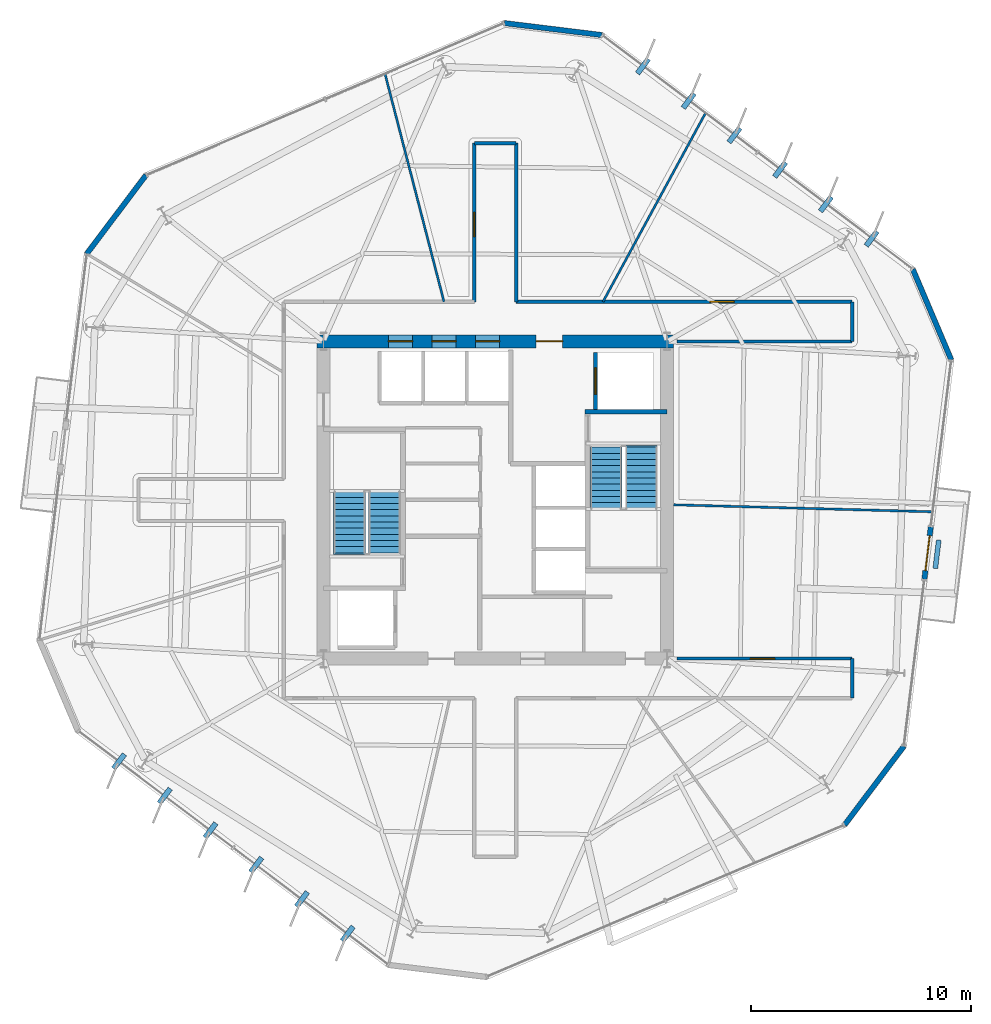
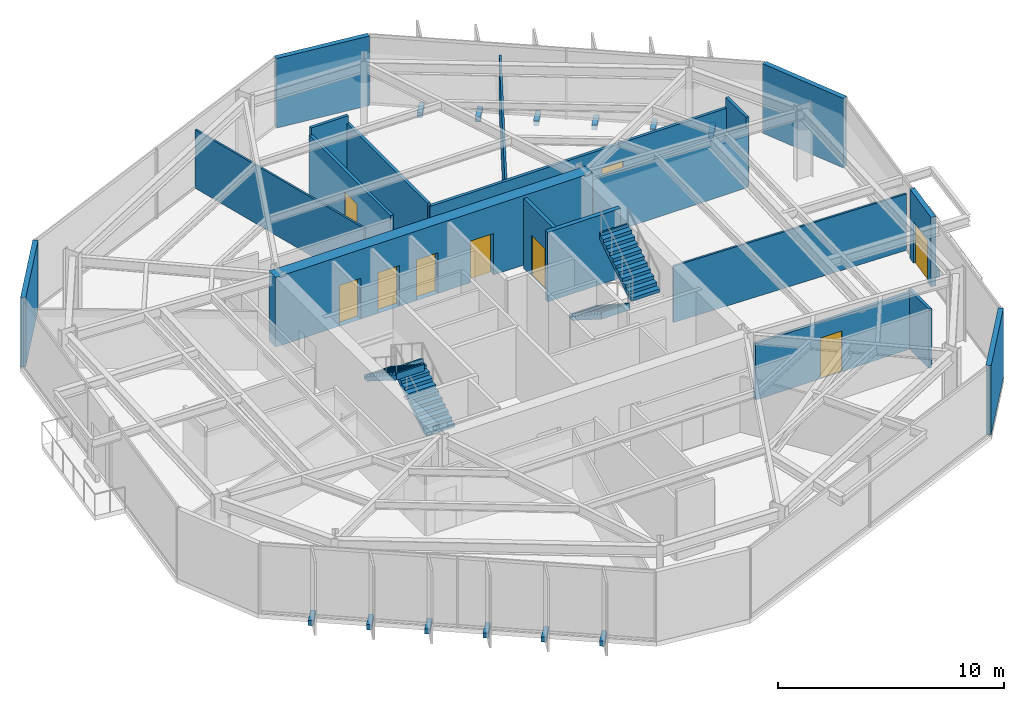
# One storey, part 8 of 11: 20 walls, 12 discrete accessories, 9 doors, 4 stair flights, 9 openings, 2 elements without a shape of their own.
"""IFC4 building model written with IfcOpenShell, lengths in metres."""

from ifc_helpers import new_model, si_unit, direction, frame, frame_2d, origin, origin_2d, place, context, subcontext, project, spatial, polyline, rectangle, outline, extrude, material, layer, layer_set, type_object, element, fill, aggregate, save


model = new_model("IFC4")

# Units and contexts
model_context = context("Model", 3, precision=1e-05, world=origin(), true_north=direction((0.0, 1.0)))
body_context = subcontext(model_context, "Body", "Model", "MODEL_VIEW")
ifc_project = project(units=[si_unit("LENGTHUNIT", "METRE"), si_unit("AREAUNIT", "SQUARE_METRE"), si_unit("VOLUMEUNIT", "CUBIC_METRE"), si_unit("PLANEANGLEUNIT", "RADIAN"), si_unit("MASSUNIT", "GRAM", prefix="KILO")], contexts=[model_context])

# Site, building, storey
site_placement = place(None, origin())
site = spatial("IfcSite", under=ifc_project, at=site_placement, CompositionType="ELEMENT")
building_placement = place(site_placement, origin())
building = spatial("IfcBuilding", under=site, at=building_placement, Name="Kranzbogen Civic Tower", CompositionType="ELEMENT")
storey_placement = place(building_placement, frame((0.0, 0.0, 114.39990234375)))
storey = spatial("IfcBuildingStorey", under=building, at=storey_placement, Name="L27", CompositionType="ELEMENT", Elevation=114.39990234375)

# Wall, opening, door
ifc_material_1 = material(Name="Double-Stud Acoustic Gypsum Partition")
ifc_layer_1 = layer(ifc_material_1, 0.14990234375, Name="Double-Stud Acoustic Gypsum Partition")
ifc_layer_set_1 = layer_set([ifc_layer_1], Name="Double-Stud Acoustic Gypsum Partition")
wall_type_1 = type_object("IfcWallType", Name="Acoustic Corridor and Clinical Partition 150 mm", PredefinedType="PARTITIONING", material=ifc_layer_set_1)
wall_1_placement = place(storey_placement, frame((24.050048828125, 34.0, 0.0), z_axis=(0.0, 0.0, 1.0), x_axis=(0.0, 1.0, 0.0)))
wall_1 = element("IfcWall", 1, at=wall_1_placement, inside=storey, type_object=wall_type_1, Name="L27 corridor partition 11", PredefinedType="PARTITIONING", context=body_context, shape_type="SweptSolid", body=[
    extrude(rectangle(XDim=7.199951171875, YDim=0.14990234375, at=frame_2d((3.60009765625, 0.0))), origin(), (0.0, 0.0, 1.0), 3.360107421875),
])
opening_1_placement = place(wall_1_placement, frame((2.9619140625, 0.0, 0.0)))
opening_1 = element("IfcOpeningElement", 2, at=opening_1_placement, cuts=wall_1, Name="Opening D-COR60", PredefinedType="OPENING", context=body_context, shape_type="SweptSolid", body=[
    extrude(rectangle(XDim=1.10009765625, YDim=2.199951171875, at=frame_2d((0.550048828125, 1.10009765625))), frame((0.0, 0.0849609375, 0.0), z_axis=(0.0, -1.0, 0.0), x_axis=(1.0, 0.0, 0.0)), (0.0, 0.0, 1.0), 0.169921875),
])
ifc_material_2 = material(Name="Oak Timber and Fire Core", Category="wood")
door_type_1 = type_object("IfcDoorType", Name="Corridor Acoustic Fire Door 1100x2200", OperationType="NOTDEFINED", PredefinedType="DOOR", material=ifc_material_2)
door_1_placement = place(opening_1_placement, origin())
door_1 = element("IfcDoor", 3, at=door_1_placement, inside=storey, type_object=door_type_1, Name="L27 Executive Research Study door", OperationType="SINGLE_SWING_RIGHT", OverallHeight=2.199951171875, OverallWidth=1.10009765625, PredefinedType="DOOR", context=body_context, shape_type="SweptSolid", body=[
    extrude(rectangle(XDim=1.10009765625, YDim=2.199951171875, at=frame_2d((0.550048828125, 1.10009765625))), frame((0.0, 0.02490234375, 0.0), z_axis=(0.0, -1.0, 0.0), x_axis=(1.0, 0.0, 0.0)), (0.0, 0.0, 1.0), 0.050048828125),
])
fill(opening_1, door_1)

# Walls
wall_2_placement = place(storey_placement, frame((24.050048828125, 41.199951171875, 0.0), z_axis=(0.0, 0.0, 1.0), x_axis=(1.0, 0.0, 0.0)))
element("IfcWall", 4, at=wall_2_placement, inside=storey, type_object=wall_type_1, Name="L27 corridor partition 12", PredefinedType="PARTITIONING", context=body_context, shape_type="SweptSolid", body=[
    extrude(rectangle(XDim=1.89990234375, YDim=0.14990234375, at=frame_2d((0.949951171875, 0.0))), origin(), (0.0, 0.0, 1.0), 3.760009765625),
])
wall_3_placement = place(storey_placement, frame((25.949951171875, 41.199951171875, 0.0), z_axis=(0.0, 0.0, 1.0), x_axis=(0.0, -1.0, 0.0)))
element("IfcWall", 5, at=wall_3_placement, inside=storey, type_object=wall_type_1, Name="L27 corridor partition 13", PredefinedType="PARTITIONING", context=body_context, shape_type="SweptSolid", body=[
    extrude(rectangle(XDim=7.199951171875, YDim=0.14990234375, at=frame_2d((3.60009765625, 0.0))), origin(), (0.0, 0.0, 1.0), 3.360107421875),
])

# Wall, opening, door
wall_4_placement = place(storey_placement, frame((25.949951171875, 34.0, 0.0), z_axis=(0.0, 0.0, 1.0), x_axis=(1.0, 0.0, 0.0)))
wall_4 = element("IfcWall", 6, at=wall_4_placement, inside=storey, type_object=wall_type_1, Name="L27 corridor partition 14", PredefinedType="PARTITIONING", context=body_context, shape_type="SweptSolid", body=[
    extrude(rectangle(XDim=15.25, YDim=0.14990234375, at=frame_2d((7.625, 0.0))), origin(), (0.0, 0.0, 1.0), 3.210205078125),
])
opening_2_placement = place(wall_4_placement, frame((8.7939453125, 0.0, 0.0)))
opening_2 = element("IfcOpeningElement", 7, at=opening_2_placement, cuts=wall_4, Name="Opening D-COR60", PredefinedType="OPENING", context=body_context, shape_type="SweptSolid", body=[
    extrude(rectangle(XDim=1.10009765625, YDim=2.199951171875, at=frame_2d((0.550048828125, 1.10009765625))), frame((0.0, 0.0849609375, 0.0), z_axis=(0.0, -1.0, 0.0), x_axis=(1.0, 0.0, 0.0)), (0.0, 0.0, 1.0), 0.169921875),
])
door_2_placement = place(opening_2_placement, origin())
door_2 = element("IfcDoor", 8, at=door_2_placement, inside=storey, type_object=door_type_1, Name="L27 Policy Seminar Room door", OperationType="SINGLE_SWING_RIGHT", OverallHeight=2.199951171875, OverallWidth=1.10009765625, PredefinedType="DOOR", context=body_context, shape_type="SweptSolid", body=[
    extrude(rectangle(XDim=1.10009765625, YDim=2.199951171875, at=frame_2d((0.550048828125, 1.10009765625))), frame((0.0, 0.02490234375, 0.0), z_axis=(0.0, -1.0, 0.0), x_axis=(1.0, 0.0, 0.0)), (0.0, 0.0, 1.0), 0.050048828125),
])
fill(opening_2, door_2)

# Walls
wall_5_placement = place(storey_placement, frame((41.199951171875, 34.0, 0.0), z_axis=(0.0, 0.0, 1.0), x_axis=(0.0, -1.0, 0.0)))
element("IfcWall", 9, at=wall_5_placement, inside=storey, type_object=wall_type_1, Name="L27 corridor partition 15", PredefinedType="PARTITIONING", context=body_context, shape_type="SweptSolid", body=[
    extrude(rectangle(XDim=1.800048828125, YDim=0.14990234375, at=frame_2d((0.89990234375, 0.0))), origin(), (0.0, 0.0, 1.0), 3.760009765625),
])
wall_6_placement = place(storey_placement, frame((41.199951171875, 32.199951171875, 0.0), z_axis=(0.0, 0.0, 1.0), x_axis=(-1.0, 0.0, 0.0)))
element("IfcWall", 10, at=wall_6_placement, inside=storey, type_object=wall_type_1, Name="L27 corridor partition 16", PredefinedType="PARTITIONING", context=body_context, shape_type="SweptSolid", body=[
    extrude(rectangle(XDim=7.952880859375, YDim=0.14990234375, at=frame_2d((3.9765625, 0.0))), origin(), (0.0, 0.0, 1.0), 3.210205078125),
])

# Wall, opening, door
wall_7_placement = place(storey_placement, frame((33.2470703125, 17.800048828125, 0.0), z_axis=(0.0, 0.0, 1.0), x_axis=(1.0, 0.0, 0.0)))
wall_7 = element("IfcWall", 11, at=wall_7_placement, inside=storey, type_object=wall_type_1, Name="L27 corridor partition 17", PredefinedType="PARTITIONING", context=body_context, shape_type="SweptSolid", body=[
    extrude(rectangle(XDim=7.952880859375, YDim=0.14990234375, at=frame_2d((3.9765625, 0.0))), origin(), (0.0, 0.0, 1.0), 3.050048828125),
])
opening_3_placement = place(wall_7_placement, frame((3.337890625, 0.0, 0.0)))
opening_3 = element("IfcOpeningElement", 12, at=opening_3_placement, cuts=wall_7, Name="Opening D-COR60", PredefinedType="OPENING", context=body_context, shape_type="SweptSolid", body=[
    extrude(rectangle(XDim=1.10009765625, YDim=2.199951171875, at=frame_2d((0.550048828125, 1.10009765625))), frame((0.0, 0.0849609375, 0.0), z_axis=(0.0, -1.0, 0.0), x_axis=(1.0, 0.0, 0.0)), (0.0, 0.0, 1.0), 0.169921875),
])
door_3_placement = place(opening_3_placement, origin())
door_3 = element("IfcDoor", 13, at=door_3_placement, inside=storey, type_object=door_type_1, Name="L27 Delegates Sitting Lounge door", OperationType="SINGLE_SWING_LEFT", OverallHeight=2.199951171875, OverallWidth=1.10009765625, PredefinedType="DOOR", context=body_context, shape_type="SweptSolid", body=[
    extrude(rectangle(XDim=1.10009765625, YDim=2.199951171875, at=frame_2d((0.550048828125, 1.10009765625))), frame((0.0, 0.02490234375, 0.0), z_axis=(0.0, -1.0, 0.0), x_axis=(1.0, 0.0, 0.0)), (0.0, 0.0, 1.0), 0.050048828125),
])
fill(opening_3, door_3)

# Walls
wall_8_placement = place(storey_placement, frame((41.199951171875, 17.800048828125, 0.0), z_axis=(0.0, 0.0, 1.0), x_axis=(0.0, -1.0, 0.0)))
element("IfcWall", 14, at=wall_8_placement, inside=storey, type_object=wall_type_1, Name="L27 corridor partition 18", PredefinedType="PARTITIONING", context=body_context, shape_type="SweptSolid", body=[
    extrude(rectangle(XDim=1.800048828125, YDim=0.14990234375, at=frame_2d((0.89990234375, 0.0))), origin(), (0.0, 0.0, 1.0), 3.210205078125),
])
ifc_material_3 = material(Name="Architectural Precast Terracotta Concrete C40/50", Category="masonry")
ifc_layer_2 = layer(ifc_material_3, 0.219970703125, Name="Architectural Precast Terracotta Concrete C40/50")
ifc_layer_set_2 = layer_set([ifc_layer_2], Name="Architectural Precast Terracotta Concrete C40/50")
wall_type_2 = type_object("IfcWallType", Name="Architectural Tree Planter Kerb Wall 220 mm", PredefinedType="USERDEFINED", material=ifc_layer_set_2)
wall_9_placement = place(storey_placement, frame((44.97509765625, 21.89208984375, 0.0), z_axis=(0.0, 0.0, 1.0), x_axis=(0.121560078921, 0.992584075639, 0.0)))
element("IfcWall", 15, at=wall_9_placement, inside=storey, type_object=wall_type_2, Name="L27 landscaped tree balcony planter L27-TB2", ObjectType="PLANTER_WALL", PredefinedType="USERDEFINED", context=body_context, shape_type="SweptSolid", body=[
    extrude(rectangle(XDim=1.29931640625, YDim=0.219970703125, at=frame_2d((0.649658203125, 0.0))), origin(), (0.0, 0.0, 1.0), 0.400146484375),
])

# Wall, openings, doors
ifc_material_4 = material(Name="Concrete C55/67", Category="concrete")
ifc_layer_3 = layer(ifc_material_4, 0.60009765625, Name="Concrete C55/67")
ifc_layer_set_3 = layer_set([ifc_layer_3], Name="Concrete C55/67")
wall_type_3 = type_object("IfcWallType", Name="Central Core Shear Wall 600 mm", PredefinedType="SHEAR", material=ifc_layer_set_3)
wall_10_placement = place(storey_placement, frame((33.10009765625, 32.199951171875, 0.0), z_axis=(0.0, 0.0, 1.0), x_axis=(-1.0, 0.0, 0.0)))
wall_10 = element("IfcWall", 16, at=wall_10_placement, inside=storey, type_object=wall_type_3, Name="L27 central core North shear wall", PredefinedType="SHEAR", context=body_context, shape_type="SweptSolid", body=[
    extrude(rectangle(XDim=16.2001953125, YDim=0.60009765625, at=frame_2d((8.10009765625, 0.0))), origin(), (0.0, 0.0, 1.0), 3.760009765625),
])
opening_4_placement = place(wall_10_placement, frame((5.050048828125, 0.0, 0.0)))
opening_4 = element("IfcOpeningElement", 17, at=opening_4_placement, cuts=wall_10, Name="Opening D-EX120", PredefinedType="OPENING", context=body_context, shape_type="SweptSolid", body=[
    extrude(rectangle(XDim=1.199951171875, YDim=2.25, at=frame_2d((0.60009765625, 1.125))), frame((0.0, 0.31005859375, 0.0), z_axis=(0.0, -1.0, 0.0), x_axis=(1.0, 0.0, 0.0)), (0.0, 0.0, 1.0), 0.6201171875),
])
opening_5_placement = place(wall_10_placement, frame((11.85009765625, 0.0, 0.0)))
opening_5 = element("IfcOpeningElement", 18, at=opening_5_placement, cuts=wall_10, Name="Opening LD-MP-01", PredefinedType="OPENING", context=body_context, shape_type="SweptSolid", body=[
    extrude(rectangle(XDim=1.10009765625, YDim=2.199951171875, at=frame_2d((0.550048828125, 1.10009765625))), frame((0.0, 0.31005859375, 0.0), z_axis=(0.0, -1.0, 0.0), x_axis=(1.0, 0.0, 0.0)), (0.0, 0.0, 1.0), 0.6201171875),
])
opening_6_placement = place(wall_10_placement, frame((9.875, 0.0, 0.0)))
opening_6 = element("IfcOpeningElement", 19, at=opening_6_placement, cuts=wall_10, Name="Opening LD-MP-02", PredefinedType="OPENING", context=body_context, shape_type="SweptSolid", body=[
    extrude(rectangle(XDim=1.10009765625, YDim=2.199951171875, at=frame_2d((0.550048828125, 1.10009765625))), frame((0.0, 0.31005859375, 0.0), z_axis=(0.0, -1.0, 0.0), x_axis=(1.0, 0.0, 0.0)), (0.0, 0.0, 1.0), 0.6201171875),
])
opening_7_placement = place(wall_10_placement, frame((7.89990234375, 0.0, 0.0)))
opening_7 = element("IfcOpeningElement", 20, at=opening_7_placement, cuts=wall_10, Name="Opening LD-MP-03", PredefinedType="OPENING", context=body_context, shape_type="SweptSolid", body=[
    extrude(rectangle(XDim=1.10009765625, YDim=2.199951171875, at=frame_2d((0.550048828125, 1.10009765625))), frame((0.0, 0.31005859375, 0.0), z_axis=(0.0, -1.0, 0.0), x_axis=(1.0, 0.0, 0.0)), (0.0, 0.0, 1.0), 0.6201171875),
])
ifc_material_5 = material(Name="Steel S355", Category="steel")
door_type_2 = type_object("IfcDoorType", Name="Exit Passageway Fire Door 1200x2250", OperationType="NOTDEFINED", PredefinedType="DOOR", material=ifc_material_5)
door_4_placement = place(opening_4_placement, origin())
door_4 = element("IfcDoor", 21, at=door_4_placement, inside=storey, type_object=door_type_2, Name="L27 East firefighting lobby corridor door", OperationType="SINGLE_SWING_RIGHT", OverallHeight=2.25, OverallWidth=1.199951171875, PredefinedType="DOOR", context=body_context, shape_type="SweptSolid", body=[
    extrude(rectangle(XDim=1.199951171875, YDim=2.25, at=frame_2d((0.60009765625, 1.125))), frame((0.0, 0.02490234375, 0.0), z_axis=(0.0, -1.0, 0.0), x_axis=(1.0, 0.0, 0.0)), (0.0, 0.0, 1.0), 0.050048828125),
])
fill(opening_4, door_4)
ifc_material_6 = material(Name="Pale Anodised Aluminium", Category="aluminium")
door_type_3 = type_object("IfcDoorType", Name="Passenger Lift Sliding Landing Door 1100x2200", OperationType="DOUBLE_DOOR_SLIDING", PredefinedType="DOOR", material=ifc_material_6)
door_5_placement = place(opening_5_placement, origin())
door_5 = element("IfcDoor", 22, at=door_5_placement, inside=storey, type_object=door_type_3, Name="L27 lift MP-01 sliding landing door", OperationType="DOUBLE_DOOR_SLIDING", OverallHeight=2.199951171875, OverallWidth=1.10009765625, PredefinedType="DOOR", context=body_context, shape_type="SweptSolid", body=[
    extrude(rectangle(XDim=1.10009765625, YDim=2.199951171875, at=frame_2d((0.550048828125, 1.10009765625))), frame((0.0, 0.02490234375, 0.0), z_axis=(0.0, -1.0, 0.0), x_axis=(1.0, 0.0, 0.0)), (0.0, 0.0, 1.0), 0.050048828125),
])
fill(opening_5, door_5)
door_6_placement = place(opening_6_placement, origin())
door_6 = element("IfcDoor", 23, at=door_6_placement, inside=storey, type_object=door_type_3, Name="L27 lift MP-02 sliding landing door", OperationType="DOUBLE_DOOR_SLIDING", OverallHeight=2.199951171875, OverallWidth=1.10009765625, PredefinedType="DOOR", context=body_context, shape_type="SweptSolid", body=[
    extrude(rectangle(XDim=1.10009765625, YDim=2.199951171875, at=frame_2d((0.550048828125, 1.10009765625))), frame((0.0, 0.02490234375, 0.0), z_axis=(0.0, -1.0, 0.0), x_axis=(1.0, 0.0, 0.0)), (0.0, 0.0, 1.0), 0.050048828125),
])
fill(opening_6, door_6)
door_7_placement = place(opening_7_placement, origin())
door_7 = element("IfcDoor", 24, at=door_7_placement, inside=storey, type_object=door_type_3, Name="L27 lift MP-03 sliding landing door", OperationType="DOUBLE_DOOR_SLIDING", OverallHeight=2.199951171875, OverallWidth=1.10009765625, PredefinedType="DOOR", context=body_context, shape_type="SweptSolid", body=[
    extrude(rectangle(XDim=1.10009765625, YDim=2.199951171875, at=frame_2d((0.550048828125, 1.10009765625))), frame((0.0, 0.02490234375, 0.0), z_axis=(0.0, -1.0, 0.0), x_axis=(1.0, 0.0, 0.0)), (0.0, 0.0, 1.0), 0.050048828125),
])
fill(opening_7, door_7)

# Walls
ifc_material_7 = material(Name="Concrete C45/55", Category="concrete")
ifc_layer_4 = layer(ifc_material_7, 0.219970703125, Name="Concrete C45/55")
ifc_layer_set_4 = layer_set([ifc_layer_4], Name="Concrete C45/55")
wall_type_4 = type_object("IfcWallType", Name="Core Internal Stair Structural Wall 220 mm", PredefinedType="SOLIDWALL", material=ifc_layer_set_4)
wall_11_placement = place(storey_placement, frame((29.080078125, 29.010009765625, 0.0), z_axis=(0.0, 0.0, 1.0), x_axis=(1.0, 0.0, 0.0)))
element("IfcWall", 25, at=wall_11_placement, inside=storey, type_object=wall_type_4, Name="L27 ST-T2 North structural stair wall", PredefinedType="SOLIDWALL", context=body_context, shape_type="SweptSolid", body=[
    extrude(rectangle(XDim=3.719970703125, YDim=0.219970703125, at=frame_2d((1.85986328125, 0.0))), origin(), (0.0, 0.0, 1.0), 3.760009765625),
])
ifc_material_8 = material(Name="Demountable Aluminium and Gypsum Partition", Category="aluminium")
ifc_layer_5 = layer(ifc_material_8, 0.10009765625, Name="Demountable Aluminium and Gypsum Partition")
ifc_layer_set_5 = layer_set([ifc_layer_5], Name="Demountable Aluminium and Gypsum Partition")
wall_type_5 = type_object("IfcWallType", Name="Demountable Office Partition 100 mm", PredefinedType="MOVABLE", material=ifc_layer_set_5)
wall_12_placement = place(storey_placement, frame((29.888916015625, 34.0, 0.0), z_axis=(0.0, 0.0, 1.0), x_axis=(0.477332684536, 0.878722657199, 0.0)))
element("IfcWall", 26, at=wall_12_placement, inside=storey, type_object=wall_type_5, Name="L27 radial room partition 01", PredefinedType="MOVABLE", context=body_context, shape_type="SweptSolid", body=[
    extrude(rectangle(XDim=9.731201171875, YDim=0.10009765625, at=frame_2d((4.86572265625, 0.0))), origin(), (0.0, 0.0, 1.0), 3.16015625),
])
wall_13_placement = place(storey_placement, frame((22.669921875, 34.0, 0.0), z_axis=(0.0, 0.0, 1.0), x_axis=(-0.250533593691, 0.968107906399, 0.0)))
element("IfcWall", 27, at=wall_13_placement, inside=storey, type_object=wall_type_5, Name="L27 radial room partition 02", PredefinedType="MOVABLE", context=body_context, shape_type="SweptSolid", body=[
    extrude(rectangle(XDim=10.676513671875, YDim=0.10009765625, at=frame_2d((5.33837890625, 0.0))), origin(), (0.0, 0.0, 1.0), 3.16015625),
])
wall_14_placement = place(storey_placement, frame((33.10009765625, 24.781982421875, 0.0), z_axis=(0.0, 0.0, 1.0), x_axis=(0.999635698047, -0.026990205435, 0.0)))
element("IfcWall", 28, at=wall_14_placement, inside=storey, type_object=wall_type_5, Name="L27 radial room partition 07", PredefinedType="MOVABLE", context=body_context, shape_type="SweptSolid", body=[
    extrude(rectangle(XDim=11.7412109375, YDim=0.10009765625, at=frame_2d((5.87060546875, 0.0))), origin(), (0.0, 0.0, 1.0), 3.050048828125),
])

# Wall, opening, door
ifc_material_9 = material(Name="Gypsum Fireboard Shaftliner")
ifc_layer_6 = layer(ifc_material_9, 0.175048828125, Name="Gypsum Fireboard Shaftliner")
ifc_layer_set_6 = layer_set([ifc_layer_6], Name="Gypsum Fireboard Shaftliner")
wall_type_6 = type_object("IfcWallType", Name="Fire-Rated Lift and Service Shaft Wall 175 mm", PredefinedType="PARTITIONING", material=ifc_layer_set_6)
wall_15_placement = place(storey_placement, frame((29.550048828125, 29.10009765625, 0.0), z_axis=(0.0, 0.0, 1.0), x_axis=(0.0, 1.0, 0.0)))
wall_15 = element("IfcWall", 29, at=wall_15_placement, inside=storey, type_object=wall_type_6, Name="L27 lift FF-02 landing wall", PredefinedType="PARTITIONING", context=body_context, shape_type="SweptSolid", body=[
    extrude(rectangle(XDim=2.599853515625, YDim=0.175048828125, at=frame_2d((1.2998046875, 0.0))), origin(), (0.0, 0.0, 1.0), 3.760009765625),
])
opening_8_placement = place(wall_15_placement, frame((0.699951171875, 0.0, 0.0)))
opening_8 = element("IfcOpeningElement", 30, at=opening_8_placement, cuts=wall_15, Name="Opening LD-FF-02", PredefinedType="OPENING", context=body_context, shape_type="SweptSolid", body=[
    extrude(rectangle(XDim=1.199951171875, YDim=2.199951171875, at=frame_2d((0.60009765625, 1.10009765625))), frame((0.0, 0.09765625, 0.0), z_axis=(0.0, -1.0, 0.0), x_axis=(1.0, 0.0, 0.0)), (0.0, 0.0, 1.0), 0.195068359375),
])
door_type_4 = type_object("IfcDoorType", Name="Firefighting and Stretcher Lift Sliding Landing Door 1200x2200", OperationType="DOUBLE_DOOR_SLIDING", PredefinedType="DOOR", material=ifc_material_6)
door_8_placement = place(opening_8_placement, origin())
door_8 = element("IfcDoor", 31, at=door_8_placement, inside=storey, type_object=door_type_4, Name="L27 lift FF-02 sliding landing door", OperationType="DOUBLE_DOOR_SLIDING", OverallHeight=2.199951171875, OverallWidth=1.199951171875, PredefinedType="DOOR", context=body_context, shape_type="SweptSolid", body=[
    extrude(rectangle(XDim=1.199951171875, YDim=2.199951171875, at=frame_2d((0.60009765625, 1.10009765625))), frame((0.0, 0.02490234375, 0.0), z_axis=(0.0, -1.0, 0.0), x_axis=(1.0, 0.0, 0.0)), (0.0, 0.0, 1.0), 0.050048828125),
])
fill(opening_8, door_8)

# Walls
ifc_layer_7 = layer(ifc_material_6, 0.239990234375, Name="Pale Anodised Aluminium")
ifc_layer_set_7 = layer_set([ifc_layer_7], Name="Pale Anodised Aluminium")
wall_type_7 = type_object("IfcWallType", Name="Insulated Aluminium Facade Portal Wall 240 mm", PredefinedType="STANDARD", material=ifc_layer_set_7)
wall_16_placement = place(storey_placement, frame((29.843994140625, 46.10791015625, 0.0), z_axis=(0.0, 0.0, 1.0), x_axis=(-0.992565806089, 0.121709163922, 0.0)))
element("IfcWall", 32, at=wall_16_placement, inside=storey, type_object=wall_type_7, Name="L27 chamfered corner facade spandrel 1", PredefinedType="STANDARD", context=body_context, shape_type="SweptSolid", body=[
    extrude(rectangle(XDim=4.47119140625, YDim=0.239990234375, at=frame_2d((2.235595703125, 0.0))), origin(), (0.0, 0.0, 1.0), 3.760009765625),
])
for number, where, z_axis, x_axis, name in (
    (33, (9.14306640625, 39.7490234375, 0.0), (0.0, 0.0, 1.0), (-0.601841660076, -0.798615436989, 0.0), "L27 chamfered corner facade spandrel 2"),
    (34, (40.85693359375, 10.2509765625, 0.0), (0.0, 0.0, 1.0), (0.601841660076, 0.798615436989, 0.0), "L27 chamfered corner facade spandrel 5"),
):
    element("IfcWall", number, at=place(storey_placement, frame(where, z_axis=z_axis, x_axis=x_axis)), inside=storey, type_object=wall_type_7, Name=name, PredefinedType="STANDARD", context=body_context, shape_type="SweptSolid", body=[
        extrude(rectangle(XDim=4.471435546875, YDim=0.239990234375, at=frame_2d((2.23583984375, 0.0))), origin(), (0.0, 0.0, 1.0), 3.760009765625),
    ])

# Wall, opening, door
wall_17_placement = place(storey_placement, frame((44.47802734375, 21.39990234375, 0.0), z_axis=(0.0, 0.0, 1.0), x_axis=(0.122068869435, 0.992521632568, 0.0)))
wall_17 = element("IfcWall", 35, at=wall_17_placement, inside=storey, type_object=wall_type_7, Name="L27 exterior entrance portal wall 1", PredefinedType="STANDARD", context=body_context, shape_type="SweptSolid", body=[
    extrude(rectangle(XDim=2.400146484375, YDim=0.239990234375, at=frame_2d((1.2001953125, 0.0))), origin(), (0.0, 0.0, 1.0), 3.760009765625),
])
opening_9_placement = place(wall_17_placement, frame((0.39990234375, 0.0, 0.0)))
opening_9 = element("IfcOpeningElement", 36, at=opening_9_placement, cuts=wall_17, Name="Opening D-TER", PredefinedType="OPENING", context=body_context, shape_type="SweptSolid", body=[
    extrude(rectangle(XDim=1.60009765625, YDim=2.25, at=frame_2d((0.800048828125, 1.125))), frame((0.0, 0.1298828125, 0.0), z_axis=(0.0, -1.0, 0.0), x_axis=(1.0, 0.0, 0.0)), (0.0, 0.0, 1.0), 0.260009765625),
])
ifc_material_10 = material(Name="Anodised Bronze and Triple Glass", Category="glass")
door_type_5 = type_object("IfcDoorType", Name="Glazed Terrace and Balcony Double Door 1600x2250", OperationType="DOUBLE_DOOR_SINGLE_SWING", PredefinedType="DOOR", material=ifc_material_10)
door_9_placement = place(opening_9_placement, frame((1.60009765625, 0.0, 0.0), z_axis=(0.0, 0.0, 1.0), x_axis=(-1.0, 0.0, 0.0)))
door_9 = element("IfcDoor", 37, at=door_9_placement, inside=storey, type_object=door_type_5, Name="L27 tree balcony access door L27-TB2", OperationType="DOUBLE_DOOR_SINGLE_SWING", OverallHeight=2.25, OverallWidth=1.60009765625, PredefinedType="DOOR", context=body_context, shape_type="SweptSolid", body=[
    extrude(rectangle(XDim=1.60009765625, YDim=2.25, at=frame_2d((0.800048828125, 1.125))), frame((0.0, 0.02490234375, 0.0), z_axis=(0.0, -1.0, 0.0), x_axis=(1.0, 0.0, 0.0)), (0.0, 0.0, 1.0), 0.050048828125),
])
fill(opening_9, door_9)

# Wall
wall_18_placement = place(storey_placement, frame((45.700927734375, 31.35888671875, 0.0), z_axis=(0.0, 0.0, 1.0), x_axis=(-0.390733557702, 0.920503822309, 0.0)))
element("IfcWall", 38, at=wall_18_placement, inside=storey, type_object=wall_type_7, Name="L27 chamfered corner facade spandrel 6", PredefinedType="STANDARD", context=body_context, shape_type="SweptSolid", body=[
    extrude(rectangle(XDim=4.470703125, YDim=0.239990234375, at=frame_2d((2.2353515625, 0.0))), origin(), (0.0, 0.0, 1.0), 3.760009765625),
])

# Stair, stair flights
ifc_material_11 = material(Name="Precast concrete C40/50", Category="concrete")
stair_type_1 = type_object("IfcStairType", Name="Tower Core Pressurized Dogleg Stair 1450", PredefinedType="HALF_TURN_STAIR", material=ifc_material_11)
stair_1_placement = place(storey_placement, origin())
stair_1 = element("IfcStair", 39, at=stair_1_placement, inside=storey, type_object=stair_type_1, Name="L27 Tower Core Pressurized Stair 1", PredefinedType="HALF_TURN_STAIR")
stair_flight_type = type_object("IfcStairFlightType", Name="Precast Concrete Stair Flight R180", PredefinedType="STRAIGHT", material=ifc_material_11)
stair_flight_1_placement = place(storey_placement, frame((19.97509765625, 22.60009765625, 0.0), z_axis=(0.0, 0.0, 1.0), x_axis=(0.0, 1.0, 0.0)))
stair_flight_1 = element("IfcStairFlight", 40, at=stair_flight_1_placement, type_object=stair_flight_type, Name="ST-T1 flight 1", NumberOfRisers=11, NumberOfTreads=10, PredefinedType="STRAIGHT", RiserHeight=0.181818182, TreadLength=0.28, context=body_context, shape_type="SweptSolid", body=[
    extrude(outline(polyline([(0.0, 0.0), (0.0, 0.181884765625), (0.280029296875, 0.181884765625), (0.280029296875, 0.363525390625), (0.56005859375, 0.363525390625), (0.56005859375, 0.54541015625), (0.840087890625, 0.54541015625), (0.840087890625, 0.727294921875), (1.1201171875, 0.727294921875), (1.1201171875, 0.9091796875), (1.39990234375, 0.9091796875), (1.39990234375, 1.0908203125), (1.679931640625, 1.0908203125), (1.679931640625, 1.272705078125), (1.9599609375, 1.272705078125), (1.9599609375, 1.45458984375), (2.239990234375, 1.45458984375), (2.239990234375, 1.636474609375), (2.52001953125, 1.636474609375), (2.52001953125, 1.818115234375), (2.800048828125, 1.818115234375), (2.800048828125, 2.0), (2.880126953125, 2.0), (2.880126953125, 1.639404296875), (0.275146484375, 0.0), (0.0, 0.0)])), frame((0.0, 0.72509765625, 0.0), z_axis=(0.0, -1.0, 0.0), x_axis=(1.0, 0.0, 0.0)), (0.0, 0.0, 1.0), 1.449951171875),
])
stair_flight_2_placement = place(storey_placement, frame((18.375, 25.39990234375, 2.0), z_axis=(0.0, 0.0, 1.0), x_axis=(0.0, -1.0, 0.0)))
stair_flight_2 = element("IfcStairFlight", 41, at=stair_flight_2_placement, type_object=stair_flight_type, Name="ST-T1 flight 2", NumberOfRisers=11, NumberOfTreads=10, PredefinedType="STRAIGHT", RiserHeight=0.181818182, TreadLength=0.28, context=body_context, shape_type="SweptSolid", body=[
    extrude(outline(polyline([(0.0, 0.0), (0.0, 0.181884765625), (0.280029296875, 0.181884765625), (0.280029296875, 0.363525390625), (0.56005859375, 0.363525390625), (0.56005859375, 0.54541015625), (0.840087890625, 0.54541015625), (0.840087890625, 0.727294921875), (1.1201171875, 0.727294921875), (1.1201171875, 0.9091796875), (1.39990234375, 0.9091796875), (1.39990234375, 1.0908203125), (1.679931640625, 1.0908203125), (1.679931640625, 1.272705078125), (1.9599609375, 1.272705078125), (1.9599609375, 1.45458984375), (2.239990234375, 1.45458984375), (2.239990234375, 1.636474609375), (2.52001953125, 1.636474609375), (2.52001953125, 1.818115234375), (2.800048828125, 1.818115234375), (2.800048828125, 2.0), (2.880126953125, 2.0), (2.880126953125, 1.639404296875), (0.275146484375, 0.0), (0.0, 0.0)])), frame((0.0, 0.72509765625, 0.0), z_axis=(0.0, -1.0, 0.0), x_axis=(1.0, 0.0, 0.0)), (0.0, 0.0, 1.0), 1.449951171875),
])
aggregate(stair_1, [stair_flight_1, stair_flight_2])

stair_type_2 = type_object("IfcStairType", Name="Tower Core Secondary Dogleg Stair 1450", PredefinedType="HALF_TURN_STAIR", material=ifc_material_11)
stair_2_placement = place(storey_placement, origin())
stair_2 = element("IfcStair", 42, at=stair_2_placement, inside=storey, type_object=stair_type_2, Name="L27 Tower Core Pressurized Stair 2", PredefinedType="HALF_TURN_STAIR")
stair_flight_3_placement = place(storey_placement, frame((30.02490234375, 27.39990234375, 0.0), z_axis=(0.0, 0.0, 1.0), x_axis=(0.0, -1.0, 0.0)))
stair_flight_3 = element("IfcStairFlight", 43, at=stair_flight_3_placement, type_object=stair_flight_type, Name="ST-T2 flight 1", NumberOfRisers=11, NumberOfTreads=10, PredefinedType="STRAIGHT", RiserHeight=0.181818182, TreadLength=0.28, context=body_context, shape_type="SweptSolid", body=[
    extrude(outline(polyline([(0.0, 0.0), (0.0, 0.181884765625), (0.280029296875, 0.181884765625), (0.280029296875, 0.363525390625), (0.56005859375, 0.363525390625), (0.56005859375, 0.54541015625), (0.840087890625, 0.54541015625), (0.840087890625, 0.727294921875), (1.1201171875, 0.727294921875), (1.1201171875, 0.9091796875), (1.39990234375, 0.9091796875), (1.39990234375, 1.0908203125), (1.679931640625, 1.0908203125), (1.679931640625, 1.272705078125), (1.9599609375, 1.272705078125), (1.9599609375, 1.45458984375), (2.239990234375, 1.45458984375), (2.239990234375, 1.636474609375), (2.52001953125, 1.636474609375), (2.52001953125, 1.818115234375), (2.800048828125, 1.818115234375), (2.800048828125, 2.0), (2.880126953125, 2.0), (2.880126953125, 1.639404296875), (0.275146484375, 0.0), (0.0, 0.0)])), frame((0.0, 0.72509765625, 0.0), z_axis=(0.0, -1.0, 0.0), x_axis=(1.0, 0.0, 0.0)), (0.0, 0.0, 1.0), 1.449951171875),
])
stair_flight_4_placement = place(storey_placement, frame((31.625, 24.60009765625, 2.0), z_axis=(0.0, 0.0, 1.0), x_axis=(0.0, 1.0, 0.0)))
stair_flight_4 = element("IfcStairFlight", 44, at=stair_flight_4_placement, type_object=stair_flight_type, Name="ST-T2 flight 2", NumberOfRisers=11, NumberOfTreads=10, PredefinedType="STRAIGHT", RiserHeight=0.181818182, TreadLength=0.28, context=body_context, shape_type="SweptSolid", body=[
    extrude(outline(polyline([(0.0, 0.0), (0.0, 0.181884765625), (0.280029296875, 0.181884765625), (0.280029296875, 0.363525390625), (0.56005859375, 0.363525390625), (0.56005859375, 0.54541015625), (0.840087890625, 0.54541015625), (0.840087890625, 0.727294921875), (1.1201171875, 0.727294921875), (1.1201171875, 0.9091796875), (1.39990234375, 0.9091796875), (1.39990234375, 1.0908203125), (1.679931640625, 1.0908203125), (1.679931640625, 1.272705078125), (1.9599609375, 1.272705078125), (1.9599609375, 1.45458984375), (2.239990234375, 1.45458984375), (2.239990234375, 1.636474609375), (2.52001953125, 1.636474609375), (2.52001953125, 1.818115234375), (2.800048828125, 1.818115234375), (2.800048828125, 2.0), (2.880126953125, 2.0), (2.880126953125, 1.639404296875), (0.275146484375, 0.0), (0.0, 0.0)])), frame((0.0, 0.72509765625, 0.0), z_axis=(0.0, -1.0, 0.0), x_axis=(1.0, 0.0, 0.0)), (0.0, 0.0, 1.0), 1.449951171875),
])
aggregate(stair_2, [stair_flight_3, stair_flight_4])

# Discrete accessories
discrete_accessory_type = type_object("IfcDiscreteAccessoryType", Name="Structural Curtain-Wall Fin Support Bracket", PredefinedType="BRACKET", material=ifc_material_5)
for number, where, z_axis, x_axis, name in (
    (45, (42.0830078125, 36.868896484375, -0.25), (0.0, 0.0, 1.0), (0.601815023152, 0.798635510047, 0.0), "L27 facade fin support bracket F1-1"),
    (46, (40.006103515625, 38.43408203125, -0.25), (0.0, 0.0, 1.0), (0.601815023152, 0.798635510047, 0.0), "L27 facade fin support bracket F1-2"),
    (47, (37.929931640625, 39.9990234375, -0.25), (0.0, 0.0, 1.0), (0.601815023152, 0.798635510047, 0.0), "L27 facade fin support bracket F1-3"),
    (48, (35.85400390625, 41.56396484375, -0.25), (0.0, 0.0, 1.0), (0.601815023152, 0.798635510047, 0.0), "L27 facade fin support bracket F1-4"),
    (49, (33.777099609375, 43.1279296875, -0.25), (0.0, 0.0, 1.0), (0.601815023152, 0.798635510047, 0.0), "L27 facade fin support bracket F1-5"),
    (50, (31.700927734375, 44.693115234375, -0.25), (0.0, 0.0, 1.0), (0.601815023152, 0.798635510047, 0.0), "L27 facade fin support bracket F1-6"),
    (51, (7.9169921875, 13.131103515625, -0.25), (0.0, 0.0, 1.0), (-0.601815023152, -0.798635510047, 0.0), "L27 facade fin support bracket F4-1"),
    (52, (9.993896484375, 11.56591796875, -0.25), (0.0, 0.0, 1.0), (-0.601815023152, -0.798635510047, 0.0), "L27 facade fin support bracket F4-2"),
    (53, (12.070068359375, 10.0009765625, -0.25), (0.0, 0.0, 1.0), (-0.601815023152, -0.798635510047, 0.0), "L27 facade fin support bracket F4-3"),
    (54, (14.14599609375, 8.43603515625, -0.25), (0.0, 0.0, 1.0), (-0.601815023152, -0.798635510047, 0.0), "L27 facade fin support bracket F4-4"),
    (55, (16.222900390625, 6.8720703125, -0.25), (0.0, 0.0, 1.0), (-0.601815023152, -0.798635510047, 0.0), "L27 facade fin support bracket F4-5"),
    (56, (18.299072265625, 5.306884765625, -0.25), (0.0, 0.0, 1.0), (-0.601815023152, -0.798635510047, 0.0), "L27 facade fin support bracket F4-6"),
):
    element("IfcDiscreteAccessory", number, at=place(storey_placement, frame(where, z_axis=z_axis, x_axis=x_axis)), inside=storey, type_object=discrete_accessory_type, Name=name, PredefinedType="BRACKET", context=body_context, shape_type="SweptSolid", body=[
        extrude(rectangle(XDim=0.820068359375, YDim=0.239990234375, at=origin_2d()), origin(), (0.0, 0.0, 1.0), 0.280029296875),
    ])

save(model, "model.ifc")
